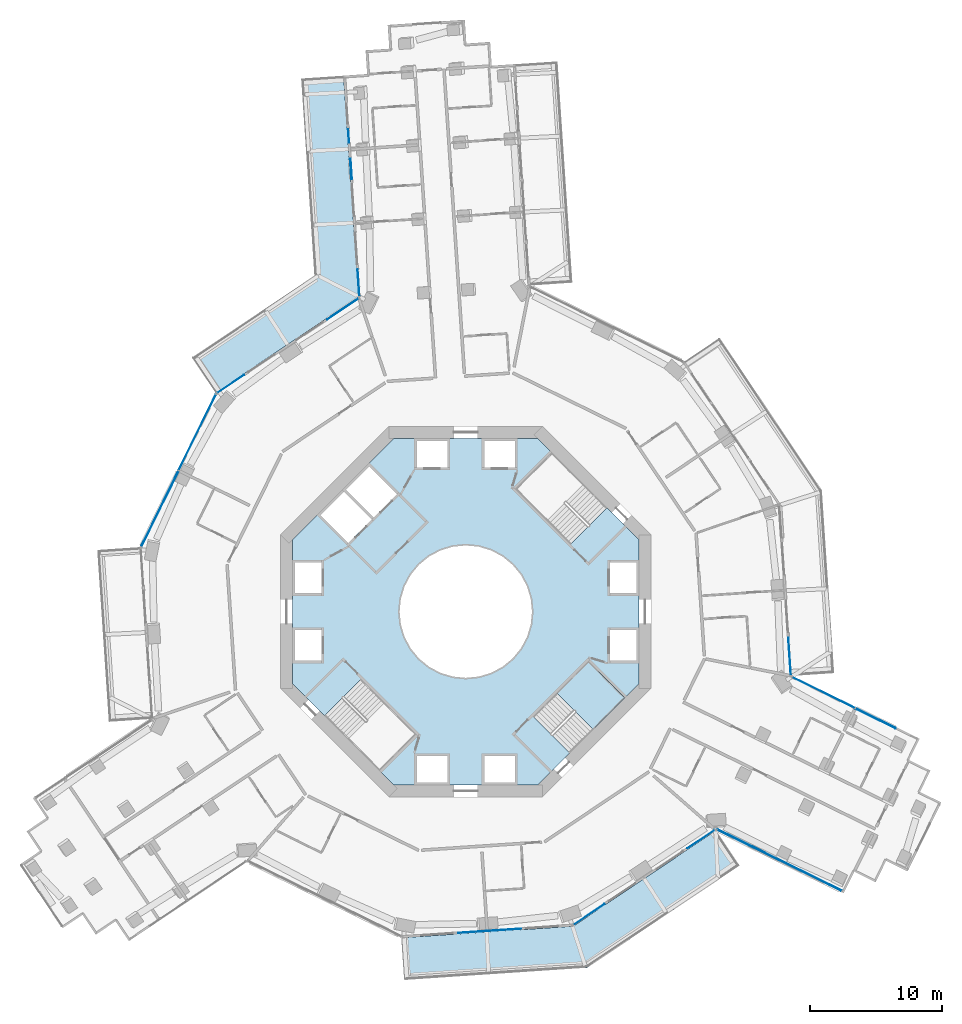
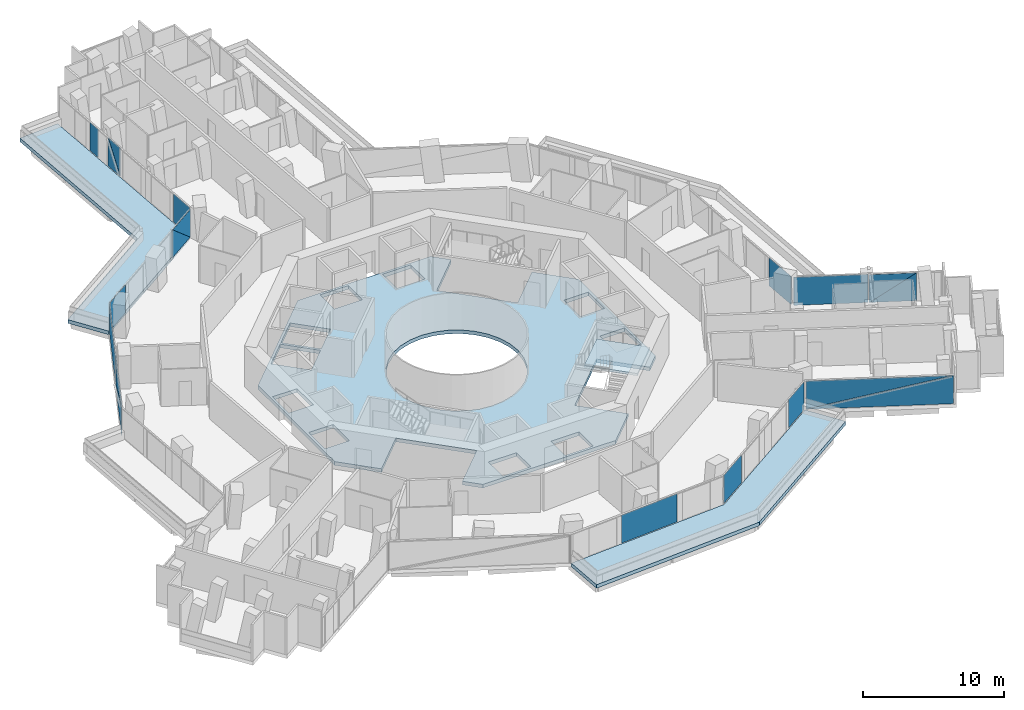
# One storey, part 14 of 25: 19 plates, 4 slabs, 9 elements without a shape of their own.
"""IFC4 building model written with IfcOpenShell, lengths in metres."""

import ifcopenshell
import ifcopenshell.guid

model = None  # the IFC model being written
_history = None  # IfcOwnerHistory: only IFC2X3 demands one
_inside = {}  # id of a spatial element -> (the spatial element, [elements in it])
_under = {}  # id of a project, library or spatial element -> (it, [spatial elements below it])
_declared = {}  # id of a project -> (the project, [libraries it declares])
_typed = {}  # id of a type object -> (the type object, [elements of that type])
_made_of = {}  # id of a material, layer set ... -> (it, [elements and type objects made of it])


def new_model(schema):
    """Start an empty IFC model of exactly this schema.

    Asked for "IFC4X3", IfcOpenShell would pick the latest addendum, in which some entities
    have other attributes; the version numbers below select the first issue.
    IFC2X3 requires an IfcOwnerHistory on every rooted entity: one is made here for all.
    """
    global model, _history
    if schema == "IFC4X3":
        model = ifcopenshell.file(schema_version=(4, 3, 0, 0))
    else:
        model = ifcopenshell.file(schema=schema)
    _inside.clear()
    _under.clear()
    _declared.clear()
    _typed.clear()
    _made_of.clear()
    _history = None
    if model.schema == "IFC2X3":
        org = make("IfcOrganization", Name="unknown")
        user = make(
            "IfcPersonAndOrganization",
            ThePerson=make("IfcPerson", FamilyName="unknown"),
            TheOrganization=org,
        )
        app = make(
            "IfcApplication",
            ApplicationDeveloper=org,
            Version="unknown",
            ApplicationFullName="unknown",
            ApplicationIdentifier="unknown",
        )
        _history = make(
            "IfcOwnerHistory",
            OwningUser=user,
            OwningApplication=app,
            ChangeAction="ADDED",
            CreationDate=0,
        )
    return model


def make(cls, **values):
    """One entity of the class cls with the attributes given. An attribute that is None is left unset."""
    return model.create_entity(
        cls, **{name: value for name, value in values.items() if value is not None}
    )


def rooted(cls, **values):
    """An entity with a GlobalId (a new one), such as an element, a storey or a relation."""
    return make(cls, GlobalId=ifcopenshell.guid.new(), OwnerHistory=_history, **values)


def si_unit(unit_type, name, prefix=None):
    """IfcSIUnit, for example si_unit("LENGTHUNIT", "METRE", prefix="MILLI")."""
    return make("IfcSIUnit", UnitType=unit_type, Prefix=prefix, Name=name)


def assignment(units):
    """IfcUnitAssignment: the units of a project."""
    return None if units is None else make("IfcUnitAssignment", Units=units)


def point(xyz):
    """IfcCartesianPoint."""
    return None if xyz is None else make("IfcCartesianPoint", Coordinates=xyz)


def direction(xyz):
    """IfcDirection."""
    return None if xyz is None else make("IfcDirection", DirectionRatios=xyz)


def frame(location, z_axis=None, x_axis=None):
    """IfcAxis2Placement3D, a coordinate frame: its origin and axes. An axis left out is left unset."""
    return make(
        "IfcAxis2Placement3D",
        Location=point(location),
        Axis=direction(z_axis),
        RefDirection=direction(x_axis),
    )


def frame_2d(location, x_axis=None):
    """IfcAxis2Placement2D, a coordinate frame in the plane: its origin and x axis."""
    return make(
        "IfcAxis2Placement2D", Location=point(location), RefDirection=direction(x_axis)
    )


def origin():
    """The frame at (0, 0, 0) with its axes left unset."""
    return frame((0.0, 0.0, 0.0))


def origin_2d():
    """The frame at (0, 0) in the plane with its x axis left unset."""
    return frame_2d((0.0, 0.0))


def place(relative_to, where):
    """IfcLocalPlacement: puts the frame where relative to a parent placement (None: the world)."""
    return make(
        "IfcLocalPlacement", PlacementRelTo=relative_to, RelativePlacement=where
    )


def context(
    kind, dimensions, precision=None, world=None, true_north=None, identifier=None
):
    """IfcGeometricRepresentationContext, for example the 3D "Model" context."""
    return make(
        "IfcGeometricRepresentationContext",
        ContextIdentifier=identifier,
        ContextType=kind,
        CoordinateSpaceDimension=dimensions,
        Precision=precision,
        WorldCoordinateSystem=world,
        TrueNorth=true_north,
    )


def subcontext(parent, identifier, kind, view, scale=None):
    """IfcGeometricRepresentationSubContext, for example "Body" below "Model"."""
    return make(
        "IfcGeometricRepresentationSubContext",
        ContextIdentifier=identifier,
        ContextType=kind,
        ParentContext=parent,
        TargetScale=scale,
        TargetView=view,
    )


def project(units=None, contexts=None):
    """IfcProject with its units and contexts."""
    return rooted(
        "IfcProject",
        Name="project",
        RepresentationContexts=contexts,
        UnitsInContext=assignment(units),
    )


def spatial(cls, under=None, at=None, **own):
    """A site, building, storey or space (cls), placed at a placement, below another one or the project."""
    s = rooted(cls, ObjectPlacement=at, **own)
    if under is not None:
        _under.setdefault(under.id(), (under, []))[1].append(s)
    return s


def polyline(points):
    """IfcPolyline through the points."""
    return make("IfcPolyline", Points=[point(p) for p in points])


def profile(cls, at=None, kind="AREA", **sizes):
    """A parametric profile (cls). Its sizes go by their IFC names, for example OverallWidth=200.0."""
    return make(cls, ProfileType=kind, Position=at, **sizes)


def rectangle(**sizes):
    """IfcRectangleProfileDef."""
    return profile("IfcRectangleProfileDef", **sizes)


def outline(outer, holes=None, kind="AREA"):
    """IfcArbitraryClosedProfileDef: a profile drawn as a closed curve; with holes, ...WithVoids."""
    if holes is None:
        return make("IfcArbitraryClosedProfileDef", ProfileType=kind, OuterCurve=outer)
    return make(
        "IfcArbitraryProfileDefWithVoids",
        ProfileType=kind,
        OuterCurve=outer,
        InnerCurves=holes,
    )


def extrude(swept, where, along, depth):
    """IfcExtrudedAreaSolid: the profile swept, set in the frame where, extruded along a direction by depth."""
    return make(
        "IfcExtrudedAreaSolid",
        SweptArea=swept,
        Position=where,
        ExtrudedDirection=direction(along),
        Depth=depth,
    )


def shape(context_of_items, identifier, shape_type, items):
    """IfcShapeRepresentation: the items that make up one representation, for example the "Body"."""
    return make(
        "IfcShapeRepresentation",
        ContextOfItems=context_of_items,
        RepresentationIdentifier=identifier,
        RepresentationType=shape_type,
        Items=items,
    )


def material(Name=None, Category=None):
    """IfcMaterial."""
    return make("IfcMaterial", Name=Name, Category=Category)


def layer(
    of_material, thickness, ventilated=None, Name=None, Category=None, Priority=None
):
    """IfcMaterialLayer: one layer of a wall or slab, of a material (None: an air gap)."""
    return make(
        "IfcMaterialLayer",
        Material=of_material,
        LayerThickness=thickness,
        IsVentilated=ventilated,
        Name=Name,
        Category=Category,
        Priority=Priority,
    )


def layer_set(layers, Name=None):
    """IfcMaterialLayerSet."""
    return make("IfcMaterialLayerSet", MaterialLayers=layers, LayerSetName=Name)


def made_of(thing, what):
    """Note that an element or type object is made of a material, layer set ...; save() writes the relation."""
    if what is not None:
        _made_of.setdefault(what.id(), (what, []))[1].append(thing)
    return thing


def type_object(cls, material=None, **own):
    """A type object (cls), such as IfcWallType, which elements share."""
    return made_of(rooted(cls, **own), material)


def element(
    cls,
    number,
    at=None,
    inside=None,
    cuts=None,
    type_object=None,
    material=None,
    context=None,
    identifier="Body",
    shape_type=None,
    held_by="IfcProductDefinitionShape",
    body=None,
    shapes=None,
    **own,
):
    """One element of the class cls, such as IfcWall. Its Tag is "e" and its number.

    at: its placement. inside: the storey or other place that contains it. cuts: it is an
    opening in that element (IfcRelVoidsElement). A single representation is given by context,
    identifier, shape_type and body (its items); several are given by shapes. held_by: the class
    of the entity that holds the representations. save() writes the other relations.
    """
    e = rooted(cls, Tag="e%d" % number, ObjectPlacement=at, **own)
    if body is not None:
        shapes = [shape(context, identifier, shape_type, body)]
    if shapes is not None:
        e.Representation = make(held_by, Representations=shapes)
    if inside is not None:
        _inside.setdefault(inside.id(), (inside, []))[1].append(e)
    if cuts is not None:
        rooted(
            "IfcRelVoidsElement", RelatingBuildingElement=cuts, RelatedOpeningElement=e
        )
    if type_object is not None:
        _typed.setdefault(type_object.id(), (type_object, []))[1].append(e)
    return made_of(e, material)


def aggregate(whole, parts):
    """IfcRelAggregates: a whole, such as a stair, and the parts it consists of."""
    return rooted("IfcRelAggregates", RelatingObject=whole, RelatedObjects=parts)


def save(model, path):
    """Write the relations noted so far, then the file.

    IfcRelAggregates (storeys below a building ...), IfcRelContainedInSpatialStructure (elements
    in a storey), IfcRelDefinesByType, IfcRelAssociatesMaterial and IfcRelDeclares: one each for
    every whole, place, type object, material and project.
    """
    for whole, parts in _under.values():
        aggregate(whole, parts)
    for where, things in _inside.values():
        rooted(
            "IfcRelContainedInSpatialStructure",
            RelatedElements=things,
            RelatingStructure=where,
        )
    for kind, things in _typed.values():
        rooted("IfcRelDefinesByType", RelatedObjects=things, RelatingType=kind)
    for what, things in _made_of.values():
        rooted("IfcRelAssociatesMaterial", RelatedObjects=things, RelatingMaterial=what)
    for by, libraries in _declared.values():
        rooted("IfcRelDeclares", RelatingContext=by, RelatedDefinitions=libraries)
    model.write(path)


model = new_model("IFC4")

# Units and contexts
model_context = context("Model", 3, precision=1e-05, world=origin(), true_north=direction((0.0, 1.0)))
body_context = subcontext(model_context, "Body", "Model", "MODEL_VIEW")
ifc_project = project(units=[si_unit("LENGTHUNIT", "METRE"), si_unit("AREAUNIT", "SQUARE_METRE"), si_unit("VOLUMEUNIT", "CUBIC_METRE"), si_unit("PLANEANGLEUNIT", "RADIAN"), si_unit("MASSUNIT", "GRAM", prefix="KILO")], contexts=[model_context])

# Site, building, storey
site_placement = place(None, origin())
site = spatial("IfcSite", under=ifc_project, at=site_placement, CompositionType="ELEMENT")
building_placement = place(site_placement, origin())
building = spatial("IfcBuilding", under=site, at=building_placement, Name="Verdalira Terraces Hotel", CompositionType="ELEMENT")
storey_placement = place(building_placement, frame((0.0, 0.0, 49.5)))
storey = spatial("IfcBuildingStorey", under=building, at=storey_placement, Name="L10", CompositionType="ELEMENT", Elevation=49.5)

# Slabs
ifc_material_1 = material(Name="Precast concrete C40/50", Category="concrete")
ifc_layer_1 = layer(ifc_material_1, 0.31005859375)
ifc_layer_set_1 = layer_set([ifc_layer_1], Name="Balcony deck 310")
slab_type_1 = type_object("IfcSlabType", Name="Balcony deck 310", PredefinedType="FLOOR", material=ifc_layer_set_1)
slab_1_placement = place(storey_placement, frame((0.0, 0.0, -0.310059)))
element("IfcSlab", 1, at=slab_1_placement, inside=storey, type_object=slab_type_1, Name="Balcony deck", PredefinedType="FLOOR", context=body_context, shape_type="SweptSolid", body=[
    extrude(outline(polyline([(-11.426514, 25.397705), (-20.689697, 19.187012), (-18.907715, 16.529297), (-8.110107, 23.768555), (-9.231689, 40.480713), (-12.424561, 40.266357), (-11.426514, 25.397705)])), origin(), (0.0, 0.0, 1.0), 0.310059),
])
slab_2_placement = place(storey_placement, frame((0.0, 0.0, -0.310059)))
element("IfcSlab", 2, at=slab_2_placement, inside=storey, type_object=slab_type_1, Name="Balcony deck", PredefinedType="FLOOR", context=body_context, shape_type="SweptSolid", body=[
    extrude(outline(polyline([(20.689697, -19.187012), (18.907715, -16.529297), (8.110107, -23.768555), (-4.86084, -24.63916), (-4.646484, -27.832031), (9.179932, -26.904053), (20.689697, -19.187012)])), origin(), (0.0, 0.0, 1.0), 0.310059),
])

# Curtain wall, plates
ifc_material_2 = material(Name="Clear glass", Category="glass")
ifc_layer_2 = layer(ifc_material_2, 0.14990234375)
ifc_layer_set_2 = layer_set([ifc_layer_2], Name="CW1 curtain wall")
curtain_wall_type_1 = type_object("IfcCurtainWallType", Name="CW1 curtain wall", PredefinedType="NOTDEFINED", material=ifc_layer_set_2)
curtain_wall_1_placement = place(storey_placement, origin())
curtain_wall_1 = element("IfcCurtainWall", 3, at=curtain_wall_1_placement, inside=storey, type_object=curtain_wall_type_1, Name="CW1 curtain wall L10 edge 11", PredefinedType="NOTDEFINED")
ifc_material_3 = material(Name="Clear glass", Category="glass")
ifc_layer_3 = layer(ifc_material_3, 0.028076171875)
ifc_layer_set_3 = layer_set([ifc_layer_3], Name="CW1 glass unit 28")
plate_type_1 = type_object("IfcPlateType", Name="CW1 glass unit 28", PredefinedType="CURTAIN_PANEL", material=ifc_layer_set_3)
plate_1_placement = place(storey_placement, frame((-9.289795, 22.870361, 1.212402), z_axis=(-0.556875616, 0.830595899, 0.0), x_axis=(-0.830595899, -0.556875616, 0.0)))
plate_1 = element("IfcPlate", 4, at=plate_1_placement, type_object=plate_type_1, Name="CW1 glass unit", PredefinedType="CURTAIN_PANEL", context=body_context, shape_type="SweptSolid", body=[
    extrude(outline(polyline([(-1.419922, -1.212402), (1.419922, -1.212402), (1.419922, 1.212402), (-1.419922, -1.212402)])), origin(), (0.0, 0.0, 1.0), 0.028076),
])
plate_2_placement = place(storey_placement, frame((-9.273682, 22.846191, 1.212402), z_axis=(-0.556875616, 0.830595899, 0.0), x_axis=(-0.830595899, -0.556875616, 0.0)))
plate_2 = element("IfcPlate", 5, at=plate_2_placement, type_object=plate_type_1, Name="CW1 glass unit", PredefinedType="CURTAIN_PANEL", context=body_context, shape_type="SweptSolid", body=[
    extrude(outline(polyline([(-1.419922, -1.212402), (1.419922, 1.212402), (-1.419922, 1.212402), (-1.419922, -1.212402)])), origin(), (0.0, 0.0, 1.0), 0.028076),
])
plate_3_placement = place(storey_placement, frame((-17.769775, 17.201904, 0.0), z_axis=(0.0, 0.0, 1.0), x_axis=(-0.830595899, -0.556875616, 0.0)))
plate_3 = element("IfcPlate", 6, at=plate_3_placement, type_object=plate_type_1, Name="CW1 glass unit", PredefinedType="CURTAIN_PANEL", context=body_context, shape_type="SweptSolid", body=[
    extrude(rectangle(XDim=2.439209, YDim=0.028076, at=origin_2d()), origin(), (0.0, 0.0, 1.0), 2.425049),
])
aggregate(curtain_wall_1, [plate_1, plate_2, plate_3])

curtain_wall_2_placement = place(storey_placement, origin())
curtain_wall_2 = element("IfcCurtainWall", 7, at=curtain_wall_2_placement, inside=storey, type_object=curtain_wall_type_1, Name="CW1 curtain wall L10 edge 12", PredefinedType="NOTDEFINED")
plate_4_placement = place(storey_placement, frame((-20.288818, 13.547607, 0.0), z_axis=(0.0, 0.0, 1.0), x_axis=(-0.440879341, -0.89756638, 0.0)))
plate_4 = element("IfcPlate", 8, at=plate_4_placement, type_object=plate_type_1, Name="CW1 glass unit", PredefinedType="CURTAIN_PANEL", context=body_context, shape_type="SweptSolid", body=[
    extrude(rectangle(XDim=6.369873, YDim=0.028076, at=origin_2d()), origin(), (0.0, 0.0, 1.0), 2.425049),
])
plate_5_placement = place(storey_placement, frame((-23.11084, 7.770264, 1.212402), z_axis=(-0.89756638, 0.440879341, 0.0), x_axis=(-0.440879341, -0.89756638, 0.0)))
plate_5 = element("IfcPlate", 9, at=plate_5_placement, type_object=plate_type_1, Name="CW1 glass unit", PredefinedType="CURTAIN_PANEL", context=body_context, shape_type="SweptSolid", body=[
    extrude(outline(polyline([(-3.185059, -1.212402), (3.185059, -1.212402), (3.185059, 1.212402), (-3.185059, -1.212402)])), origin(), (0.0, 0.0, 1.0), 0.028076),
])
plate_6_placement = place(storey_placement, frame((-23.084961, 7.757324, 1.212402), z_axis=(-0.89756638, 0.440879341, 0.0), x_axis=(-0.440879341, -0.89756638, 0.0)))
plate_6 = element("IfcPlate", 10, at=plate_6_placement, type_object=plate_type_1, Name="CW1 glass unit", PredefinedType="CURTAIN_PANEL", context=body_context, shape_type="SweptSolid", body=[
    extrude(outline(polyline([(-3.185059, -1.212402), (3.185059, 1.212402), (-3.185059, 1.212402), (-3.185059, -1.212402)])), origin(), (0.0, 0.0, 1.0), 0.028076),
])
aggregate(curtain_wall_2, [plate_4, plate_5, plate_6])

# Curtain wall, plate
curtain_wall_3_placement = place(storey_placement, origin())
curtain_wall_3 = element("IfcCurtainWall", 11, at=curtain_wall_3_placement, inside=storey, type_object=curtain_wall_type_1, Name="CW1 curtain wall L10 edge 26", PredefinedType="NOTDEFINED")
plate_7_placement = place(storey_placement, frame((1.797607, -24.117188, 0.0), z_axis=(0.0, 0.0, 1.0), x_axis=(0.997754957, 0.066970481, 0.0)))
plate_7 = element("IfcPlate", 12, at=plate_7_placement, type_object=plate_type_1, Name="CW1 glass unit", PredefinedType="CURTAIN_PANEL", context=body_context, shape_type="SweptSolid", body=[
    extrude(rectangle(XDim=4.759277, YDim=0.028076, at=origin_2d()), origin(), (0.0, 0.0, 1.0), 2.425049),
])
aggregate(curtain_wall_3, [plate_7])

# Curtain wall, plates
curtain_wall_4_placement = place(storey_placement, origin())
curtain_wall_4 = element("IfcCurtainWall", 13, at=curtain_wall_4_placement, inside=storey, type_object=curtain_wall_type_1, Name="CW1 curtain wall L10 edge 27", PredefinedType="NOTDEFINED")
plate_8_placement = place(storey_placement, frame((9.314209, -22.87085, 0.0), z_axis=(0.0, 0.0, 1.0), x_axis=(0.830595899, 0.556875616, 0.0)))
plate_8 = element("IfcPlate", 14, at=plate_8_placement, type_object=plate_type_1, Name="CW1 glass unit", PredefinedType="CURTAIN_PANEL", context=body_context, shape_type="SweptSolid", body=[
    extrude(rectangle(XDim=2.799805, YDim=0.028076, at=origin_2d()), origin(), (0.0, 0.0, 1.0), 2.425049),
])
plate_9_placement = place(storey_placement, frame((17.786377, -17.190674, 0.0), z_axis=(0.0, 0.0, 1.0), x_axis=(0.830595899, 0.556875616, 0.0)))
plate_9 = element("IfcPlate", 15, at=plate_9_placement, type_object=plate_type_1, Name="CW1 glass unit", PredefinedType="CURTAIN_PANEL", context=body_context, shape_type="SweptSolid", body=[
    extrude(rectangle(XDim=2.479492, YDim=0.028076, at=origin_2d()), origin(), (0.0, 0.0, 1.0), 2.425049),
])
aggregate(curtain_wall_4, [plate_8, plate_9])

# Curtain wall, plate
curtain_wall_5_placement = place(storey_placement, origin())
curtain_wall_5 = element("IfcCurtainWall", 16, at=curtain_wall_5_placement, inside=storey, type_object=curtain_wall_type_1, Name="CW1 curtain wall L10 edge 39", PredefinedType="NOTDEFINED")
plate_10_placement = place(storey_placement, frame((24.465332, -3.38916, 0.0), z_axis=(0.0, 0.0, 1.0), x_axis=(-0.066970481, 0.997754957, 0.0)))
plate_10 = element("IfcPlate", 17, at=plate_10_placement, type_object=plate_type_1, Name="CW1 glass unit", PredefinedType="CURTAIN_PANEL", context=body_context, shape_type="SweptSolid", body=[
    extrude(rectangle(XDim=2.840088, YDim=0.028076, at=origin_2d()), origin(), (0.0, 0.0, 1.0), 2.425049),
])
aggregate(curtain_wall_5, [plate_10])

# Curtain wall, plates
ifc_material_4 = material(Name="Clear glass", Category="glass")
ifc_layer_4 = layer(ifc_material_4, 0.14990234375)
ifc_layer_set_4 = layer_set([ifc_layer_4], Name="CW2 curtain wall")
curtain_wall_type_2 = type_object("IfcCurtainWallType", Name="CW2 curtain wall", PredefinedType="NOTDEFINED", material=ifc_layer_set_4)
curtain_wall_6_placement = place(storey_placement, origin())
curtain_wall_6 = element("IfcCurtainWall", 18, at=curtain_wall_6_placement, inside=storey, type_object=curtain_wall_type_2, Name="CW2 curtain wall L10 edge 10", PredefinedType="NOTDEFINED")
ifc_material_5 = material(Name="Clear glass", Category="glass")
ifc_layer_5 = layer(ifc_material_5, 0.031982421875)
ifc_layer_set_5 = layer_set([ifc_layer_5], Name="CW2 glass unit 32")
plate_type_2 = type_object("IfcPlateType", Name="CW2 glass unit 32", PredefinedType="CURTAIN_PANEL", material=ifc_layer_set_5)
plate_11_placement = place(storey_placement, frame((-8.851562, 35.938232, 0.0), z_axis=(0.0, 0.0, 1.0), x_axis=(0.066970481, -0.997754957, 0.0)))
plate_11 = element("IfcPlate", 19, at=plate_11_placement, type_object=plate_type_2, Name="CW2 glass unit", PredefinedType="CURTAIN_PANEL", context=body_context, shape_type="SweptSolid", body=[
    extrude(rectangle(XDim=1.051025, YDim=0.031982, at=origin_2d()), origin(), (0.0, 0.0, 1.0), 2.425049),
])
plate_12_placement = place(storey_placement, frame((-8.668213, 33.444092, 1.212402), z_axis=(-0.997754957, -0.066970481, 0.0), x_axis=(0.066970481, -0.997754957, 0.0)))
plate_12 = element("IfcPlate", 20, at=plate_12_placement, type_object=plate_type_2, Name="CW2 glass unit", PredefinedType="CURTAIN_PANEL", context=body_context, shape_type="SweptSolid", body=[
    extrude(outline(polyline([(-0.757812, -1.212402), (0.757812, -1.212402), (-0.757812, 1.212402), (-0.757812, -1.212402)])), origin(), (0.0, 0.0, 1.0), 0.031982),
])
plate_13_placement = place(storey_placement, frame((-8.635254, 33.446289, 1.212402), z_axis=(-0.997754957, -0.066970481, 0.0), x_axis=(0.066970481, -0.997754957, 0.0)))
plate_13 = element("IfcPlate", 21, at=plate_13_placement, type_object=plate_type_2, Name="CW2 glass unit", PredefinedType="CURTAIN_PANEL", context=body_context, shape_type="SweptSolid", body=[
    extrude(outline(polyline([(0.757812, -1.212402), (0.757812, 1.212402), (-0.757812, 1.212402), (0.757812, -1.212402)])), origin(), (0.0, 0.0, 1.0), 0.031982),
])
plate_14_placement = place(storey_placement, frame((-8.107178, 24.84668, 0.0), z_axis=(0.0, 0.0, 1.0), x_axis=(0.066970481, -0.997754957, 0.0)))
plate_14 = element("IfcPlate", 22, at=plate_14_placement, type_object=plate_type_2, Name="CW2 glass unit", PredefinedType="CURTAIN_PANEL", context=body_context, shape_type="SweptSolid", body=[
    extrude(rectangle(XDim=2.01123, YDim=0.031982, at=origin_2d()), origin(), (0.0, 0.0, 1.0), 2.425049),
])
aggregate(curtain_wall_6, [plate_11, plate_12, plate_13, plate_14])

curtain_wall_7_placement = place(storey_placement, origin())
curtain_wall_7 = element("IfcCurtainWall", 23, at=curtain_wall_7_placement, inside=storey, type_object=curtain_wall_type_2, Name="CW2 curtain wall L10 edge 28", PredefinedType="NOTDEFINED")
plate_15_placement = place(storey_placement, frame((23.704834, -18.783936, 1.212402), z_axis=(-0.440879341, -0.89756638, 0.0), x_axis=(0.89756638, -0.440879341, 0.0)))
plate_15 = element("IfcPlate", 24, at=plate_15_placement, type_object=plate_type_2, Name="CW2 glass unit", PredefinedType="CURTAIN_PANEL", context=body_context, shape_type="SweptSolid", body=[
    extrude(outline(polyline([(-5.22998, -1.212402), (5.22998, -1.212402), (5.22998, 1.212402), (-5.22998, -1.212402)])), origin(), (0.0, 0.0, 1.0), 0.031982),
])
plate_16_placement = place(storey_placement, frame((23.719238, -18.754395, 1.212402), z_axis=(-0.440879341, -0.89756638, 0.0), x_axis=(0.89756638, -0.440879341, 0.0)))
plate_16 = element("IfcPlate", 25, at=plate_16_placement, type_object=plate_type_2, Name="CW2 glass unit", PredefinedType="CURTAIN_PANEL", context=body_context, shape_type="SweptSolid", body=[
    extrude(outline(polyline([(-5.22998, -1.212402), (5.22998, 1.212402), (-5.22998, 1.212402), (-5.22998, -1.212402)])), origin(), (0.0, 0.0, 1.0), 0.031982),
])
aggregate(curtain_wall_7, [plate_15, plate_16])

curtain_wall_8_placement = place(storey_placement, origin())
curtain_wall_8 = element("IfcCurtainWall", 26, at=curtain_wall_8_placement, inside=storey, type_object=curtain_wall_type_2, Name="CW2 curtain wall L10 edge 38", PredefinedType="NOTDEFINED")
plate_17_placement = place(storey_placement, frame((30.961182, -8.067627, 1.212402), z_axis=(0.440879341, 0.89756638, 0.0), x_axis=(-0.89756638, 0.440879341, 0.0)))
plate_17 = element("IfcPlate", 27, at=plate_17_placement, type_object=plate_type_2, Name="CW2 glass unit", PredefinedType="CURTAIN_PANEL", context=body_context, shape_type="SweptSolid", body=[
    extrude(outline(polyline([(-1.678467, -1.212402), (1.678467, -1.212402), (-1.678467, 1.212402), (-1.678467, -1.212402)])), origin(), (0.0, 0.0, 1.0), 0.031982),
])
plate_18_placement = place(storey_placement, frame((30.946777, -8.097168, 1.212402), z_axis=(0.440879341, 0.89756638, 0.0), x_axis=(-0.89756638, 0.440879341, 0.0)))
plate_18 = element("IfcPlate", 28, at=plate_18_placement, type_object=plate_type_2, Name="CW2 glass unit", PredefinedType="CURTAIN_PANEL", context=body_context, shape_type="SweptSolid", body=[
    extrude(outline(polyline([(1.678467, -1.212402), (1.678467, 1.212402), (-1.678467, 1.212402), (1.678467, -1.212402)])), origin(), (0.0, 0.0, 1.0), 0.031982),
])
plate_19_placement = place(storey_placement, frame((27.033936, -6.120605, 0.0), z_axis=(0.0, 0.0, 1.0), x_axis=(-0.89756638, 0.440879341, 0.0)))
plate_19 = element("IfcPlate", 29, at=plate_19_placement, type_object=plate_type_2, Name="CW2 glass unit", PredefinedType="CURTAIN_PANEL", context=body_context, shape_type="SweptSolid", body=[
    extrude(rectangle(XDim=5.269775, YDim=0.031982, at=origin_2d()), origin(), (0.0, 0.0, 1.0), 2.425049),
])
aggregate(curtain_wall_8, [plate_17, plate_18, plate_19])

# Slab
ifc_material_6 = material(Name="Concrete C40", Category="concrete")
ifc_layer_6 = layer(ifc_material_6, 0.31005859375)
ifc_layer_set_6 = layer_set([ifc_layer_6], Name="Core floor slab 310 mm")
slab_type_2 = type_object("IfcSlabType", Name="Core floor slab 310 mm", PredefinedType="FLOOR", material=ifc_layer_set_6)
slab_3_placement = place(storey_placement, frame((0.0, 0.0, -0.310059)))
element("IfcSlab", 30, at=slab_3_placement, inside=storey, type_object=slab_type_2, Name="L10 core floor", PredefinedType="FLOOR", context=body_context, shape_type="SweptSolid", body=[
    extrude(outline(polyline([(-5.42627, 13.100098), (5.42627, 13.100098), (6.491211, 12.034912), (3.719482, 9.263184), (7.905029, 5.077393), (10.677002, 7.849121), (13.100098, 5.42627), (13.100098, -5.42627), (12.034912, -6.491211), (9.263184, -3.719482), (5.077393, -7.905029), (7.849121, -10.677002), (5.42627, -13.100098), (-5.42627, -13.100098), (-6.491211, -12.034912), (-3.719482, -9.263184), (-7.905029, -5.077393), (-10.677002, -7.849121), (-13.100098, -5.42627), (-13.100098, 5.42627), (-5.42627, 13.100098)]), holes=[polyline([(12.899902, -3.699951), (12.899902, -1.399902), (10.899902, -1.399902), (10.899902, -3.699951), (12.899902, -3.699951)]), polyline([(12.899902, 1.399902), (12.899902, 3.699951), (10.899902, 3.699951), (10.899902, 1.399902), (12.899902, 1.399902)]), polyline([(1.399902, 10.899902), (3.699951, 10.899902), (3.699951, 12.899902), (1.399902, 12.899902), (1.399902, 10.899902)]), polyline([(-3.699951, 10.899902), (-1.399902, 10.899902), (-1.399902, 12.899902), (-3.699951, 12.899902), (-3.699951, 10.899902)]), polyline([(-12.899902, 3.699951), (-12.899902, 1.399902), (-10.899902, 1.399902), (-10.899902, 3.699951), (-12.899902, 3.699951)]), polyline([(-12.899902, -1.399902), (-12.899902, -3.699951), (-10.899902, -3.699951), (-10.899902, -1.399902), (-12.899902, -1.399902)]), polyline([(-1.399902, -10.899902), (-3.699951, -10.899902), (-3.699951, -12.899902), (-1.399902, -12.899902), (-1.399902, -10.899902)]), polyline([(3.699951, -10.899902), (1.399902, -10.899902), (1.399902, -12.899902), (3.699951, -12.899902), (3.699951, -10.899902)]), polyline([(-9.051025, 9.192383), (-6.965088, 7.106445), (-5.197266, 8.874268), (-7.283203, 10.960205), (-9.051025, 9.192383)]), polyline([(-9.192383, 9.051025), (-10.960205, 7.283203), (-8.874268, 5.197266), (-7.106445, 6.965088), (-9.192383, 9.051025)]), polyline([(3.5354, 3.5354), (2.777832, 4.157227), (1.91333, 4.619385), (0.975586, 4.903809), (0.0, 5.0), (-0.975586, 4.903809), (-1.91333, 4.619385), (-2.777832, 4.157227), (-3.5354, 3.5354), (-4.157227, 2.777832), (-4.619385, 1.91333), (-4.903809, 0.975586), (-5.0, 0.0), (-4.903809, -0.975586), (-4.619385, -1.91333), (-4.157227, -2.777832), (-3.5354, -3.5354), (-2.777832, -4.157227), (-1.91333, -4.619385), (-0.975586, -4.903809), (0.0, -5.0), (0.975586, -4.903809), (1.91333, -4.619385), (2.777832, -4.157227), (3.5354, -3.5354), (4.157227, -2.777832), (4.619385, -1.91333), (4.903809, -0.975586), (5.0, 0.0), (4.903809, 0.975586), (4.619385, 1.91333), (4.157227, 2.777832), (3.5354, 3.5354)])]), origin(), (0.0, 0.0, 1.0), 0.310059),
])

# Stair, slab
ifc_material_7 = material(Name="Concrete C40", Category="concrete")
stair_type = type_object("IfcStairType", Name="Core stair 20 risers 1900 mm wide", PredefinedType="HALF_TURN_STAIR", material=ifc_material_7)
stair_placement = place(storey_placement, origin())
stair = element("IfcStair", 31, at=stair_placement, inside=storey, type_object=stair_type, Name="L10 Exit stair ST3", PredefinedType="HALF_TURN_STAIR")
ifc_material_8 = material(Name="Concrete C40", Category="concrete")
ifc_layer_7 = layer(ifc_material_8, 0.199951171875)
ifc_layer_set_7 = layer_set([ifc_layer_7], Name="Core stair landing 200 mm")
slab_type_3 = type_object("IfcSlabType", Name="Core stair landing 200 mm", PredefinedType="LANDING", material=ifc_layer_set_7)
slab_4_placement = place(storey_placement, frame((0.0, 0.0, 1.550049)))
slab_4 = element("IfcSlab", 32, at=slab_4_placement, type_object=slab_type_3, Name="ST3 landing 1", PredefinedType="LANDING", context=body_context, shape_type="SweptSolid", body=[
    extrude(outline(polyline([(9.630371, -8.895752), (12.020752, -6.505371), (9.263184, -3.747559), (6.872803, -6.137939), (9.630371, -8.895752)])), origin(), (0.0, 0.0, 1.0), 0.199951),
])
aggregate(stair, [slab_4])

save(model, "model.ifc")
